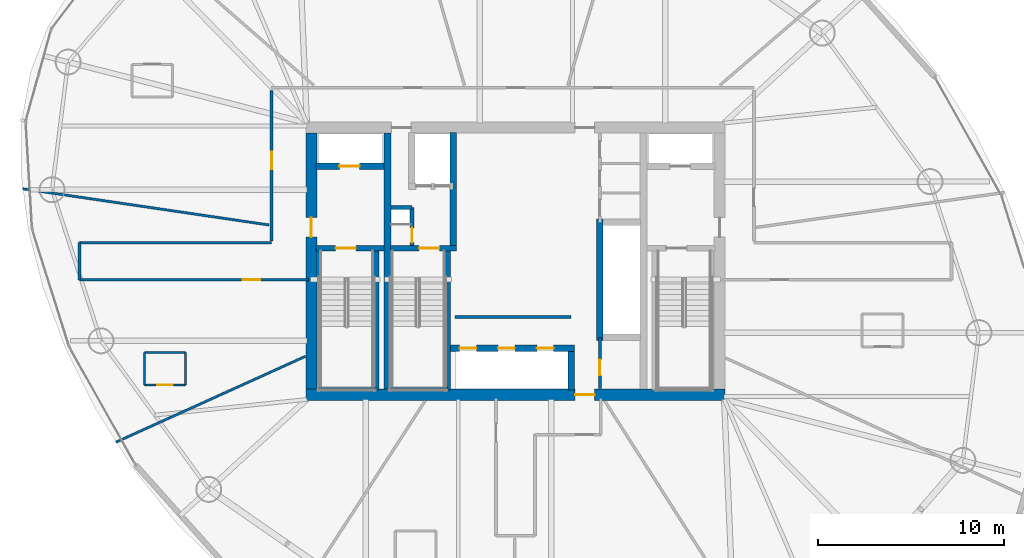
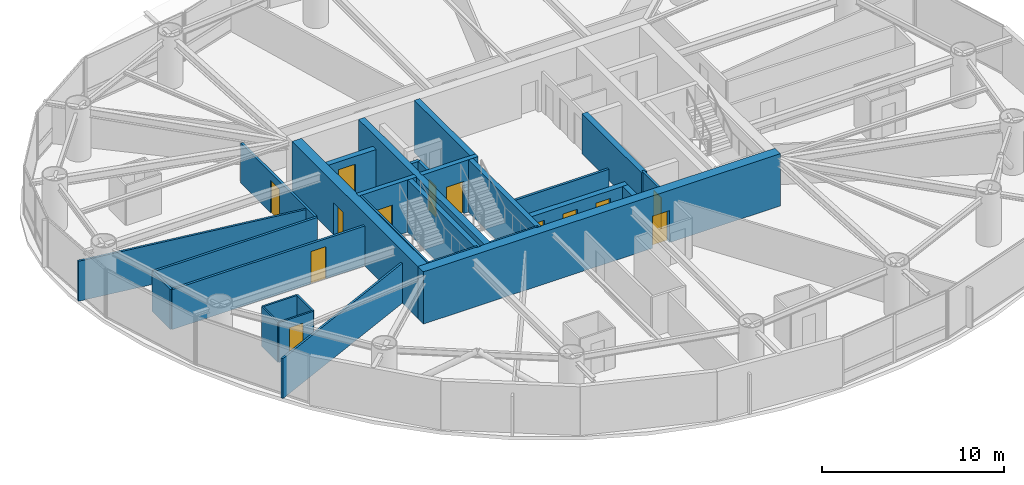
# One storey, part 17 of 22: 29 walls, 13 doors, 13 openings.
"""IFC4 building model written with IfcOpenShell, lengths in metres."""

from ifc_helpers import new_model, si_unit, direction, frame, frame_2d, origin, place, context, subcontext, project, spatial, rectangle, extrude, material, layer, layer_set, type_object, element, fill, save


model = new_model("IFC4")

# Units and contexts
model_context = context("Model", 3, precision=1e-05, world=origin(), true_north=direction((0.0, 1.0)))
body_context = subcontext(model_context, "Body", "Model", "MODEL_VIEW")
ifc_project = project(units=[si_unit("LENGTHUNIT", "METRE"), si_unit("AREAUNIT", "SQUARE_METRE"), si_unit("VOLUMEUNIT", "CUBIC_METRE"), si_unit("PLANEANGLEUNIT", "RADIAN"), si_unit("MASSUNIT", "GRAM", prefix="KILO")], contexts=[model_context])

# Site, building, storey
site_placement = place(None, origin())
site = spatial("IfcSite", under=ifc_project, at=site_placement, CompositionType="ELEMENT")
building_placement = place(site_placement, origin())
building = spatial("IfcBuilding", under=site, at=building_placement, Name="Bramvorn Convention Spire", CompositionType="ELEMENT")
storey_placement = place(building_placement, frame((0.0, 0.0, 137.800048828125)))
storey = spatial("IfcBuildingStorey", under=building, at=storey_placement, Name="L34", CompositionType="ELEMENT", Elevation=137.800048828125)

# Wall, opening, door
ifc_material_1 = material(Name="Concrete C60/70", Category="concrete")
ifc_layer_1 = layer(ifc_material_1, 0.60009765625)
ifc_layer_set_1 = layer_set([ifc_layer_1], Name="Concrete C60/70 - WL-CORE-600")
wall_type_1 = type_object("IfcWallType", Name="WL-CORE-600", PredefinedType="SHEAR", material=ifc_layer_set_1)
wall_1_placement = place(storey_placement, frame((26.699951171875, 18.800048828125, 0.0), z_axis=(0.0, 0.0, 1.0), x_axis=(1.0, 0.0, 0.0)))
wall_1 = element("IfcWall", 1, at=wall_1_placement, inside=storey, type_object=wall_type_1, Name="L34 South RC core shear wall", PredefinedType="SHEAR", context=body_context, shape_type="SweptSolid", body=[
    extrude(rectangle(XDim=22.60009765625, YDim=0.60009765625, at=frame_2d((11.300048828125, 0.0))), origin(), (0.0, 0.0, 1.0), 3.5),
])
opening_1_placement = place(wall_1_placement, frame((14.52001953125, 0.0, 0.0)))
opening_1 = element("IfcOpeningElement", 2, at=opening_1_placement, cuts=wall_1, Name="Opening DL-105", PredefinedType="OPENING", context=body_context, shape_type="SweptSolid", body=[
    extrude(rectangle(XDim=1.050048828125, YDim=2.14990234375, at=frame_2d((0.52490234375, 1.074951171875))), frame((0.0, 0.31005859375, 0.0), z_axis=(0.0, -1.0, 0.0), x_axis=(1.0, 0.0, 0.0)), (0.0, 0.0, 1.0), 0.6201171875),
])
ifc_material_2 = material(Name="Smoke-Sealed Fire Lobby Timber-Core Door", Category="wood")
door_type_1 = type_object("IfcDoorType", Name="DR-LOBBY-1050", OperationType="NOTDEFINED", PredefinedType="DOOR", material=ifc_material_2)
door_1_placement = place(opening_1_placement, origin())
door_1 = element("IfcDoor", 3, at=door_1_placement, inside=storey, type_object=door_type_1, Name="L34 South Lift Lobby fire door", OperationType="SINGLE_SWING_RIGHT", OverallHeight=2.14990234375, OverallWidth=1.050048828125, PredefinedType="DOOR", context=body_context, shape_type="SweptSolid", body=[
    extrude(rectangle(XDim=1.050048828125, YDim=2.14990234375, at=frame_2d((0.52490234375, 1.074951171875))), frame((0.0, 0.02490234375, 0.0), z_axis=(0.0, -1.0, 0.0), x_axis=(1.0, 0.0, 0.0)), (0.0, 0.0, 1.0), 0.050048828125),
])
fill(opening_1, door_1)

wall_2_placement = place(storey_placement, frame((27.0, 19.10009765625, 0.0), z_axis=(0.0, 0.0, 1.0), x_axis=(0.0, 1.0, 0.0)))
wall_2 = element("IfcWall", 4, at=wall_2_placement, inside=storey, type_object=wall_type_1, Name="L34 West RC core shear wall", PredefinedType="SHEAR", context=body_context, shape_type="SweptSolid", body=[
    extrude(rectangle(XDim=13.7998046875, YDim=0.60009765625, at=frame_2d((6.89990234375, 0.0))), origin(), (0.0, 0.0, 1.0), 3.5),
])
opening_2_placement = place(wall_2_placement, frame((8.199951171875, 0.0, 0.0)))
opening_2 = element("IfcOpeningElement", 5, at=opening_2_placement, cuts=wall_2, Name="Opening DL-105", PredefinedType="OPENING", context=body_context, shape_type="SweptSolid", body=[
    extrude(rectangle(XDim=1.050048828125, YDim=2.14990234375, at=frame_2d((0.52490234375, 1.074951171875))), frame((0.0, 0.31005859375, 0.0), z_axis=(0.0, -1.0, 0.0), x_axis=(1.0, 0.0, 0.0)), (0.0, 0.0, 1.0), 0.6201171875),
])
door_2_placement = place(opening_2_placement, origin())
door_2 = element("IfcDoor", 6, at=door_2_placement, inside=storey, type_object=door_type_1, Name="L34 West Firefighting Lobby corridor door", OperationType="SINGLE_SWING_RIGHT", OverallHeight=2.14990234375, OverallWidth=1.050048828125, PredefinedType="DOOR", context=body_context, shape_type="SweptSolid", body=[
    extrude(rectangle(XDim=1.050048828125, YDim=2.14990234375, at=frame_2d((0.52490234375, 1.074951171875))), frame((0.0, 0.02490234375, 0.0), z_axis=(0.0, -1.0, 0.0), x_axis=(1.0, 0.0, 0.0)), (0.0, 0.0, 1.0), 0.050048828125),
])
fill(opening_2, door_2)

ifc_material_3 = material(Name="Concrete C50/60", Category="concrete")
ifc_layer_2 = layer(ifc_material_3, 0.35009765625)
ifc_layer_set_2 = layer_set([ifc_layer_2], Name="Concrete C50/60 - WL-CORE-INT-350")
wall_type_2 = type_object("IfcWallType", Name="WL-CORE-INT-350", PredefinedType="SHEAR", material=ifc_layer_set_2)
wall_3_placement = place(storey_placement, frame((27.25, 31.1201171875, 0.0), z_axis=(0.0, 0.0, 1.0), x_axis=(1.0, 0.0, 0.0)))
wall_3 = element("IfcWall", 7, at=wall_3_placement, inside=storey, type_object=wall_type_2, Name="L34 FE1 shaft front wall", PredefinedType="SHEAR", context=body_context, shape_type="SweptSolid", body=[
    extrude(rectangle(XDim=3.669921875, YDim=0.35009765625, at=frame_2d((1.8349609375, 0.0))), origin(), (0.0, 0.0, 1.0), 2.675048828125),
])
opening_3_placement = place(wall_3_placement, frame((1.25, 0.0, 0.0)))
opening_3 = element("IfcOpeningElement", 8, at=opening_3_placement, cuts=wall_3, Name="Opening LD-110", PredefinedType="OPENING", context=body_context, shape_type="SweptSolid", body=[
    extrude(rectangle(XDim=1.10009765625, YDim=2.14990234375, at=frame_2d((0.550048828125, 1.074951171875))), frame((0.0, 0.18505859375, 0.0), z_axis=(0.0, -1.0, 0.0), x_axis=(1.0, 0.0, 0.0)), (0.0, 0.0, 1.0), 0.3701171875),
])
ifc_material_4 = material(Name="Firefighting & Service Lift Sliding Landing Door", Category="steel")
door_type_2 = type_object("IfcDoorType", Name="DR-LIFT-LD-1100", OperationType="NOTDEFINED", PredefinedType="DOOR", material=ifc_material_4)
door_3_placement = place(opening_3_placement, origin())
door_3 = element("IfcDoor", 9, at=door_3_placement, inside=storey, type_object=door_type_2, Name="L34 Lift FE1 Sliding Landing Door", OperationType="SLIDING_TO_LEFT", OverallHeight=2.14990234375, OverallWidth=1.10009765625, PredefinedType="DOOR", context=body_context, shape_type="SweptSolid", body=[
    extrude(rectangle(XDim=1.10009765625, YDim=2.14990234375, at=frame_2d((0.550048828125, 1.074951171875))), frame((0.0, 0.02490234375, 0.0), z_axis=(0.0, -1.0, 0.0), x_axis=(1.0, 0.0, 0.0)), (0.0, 0.0, 1.0), 0.050048828125),
])
fill(opening_3, door_3)

# Walls
wall_4_placement = place(storey_placement, frame((34.639892578125, 26.68994140625, 0.0), z_axis=(0.0, 0.0, 1.0), x_axis=(0.0, 1.0, 0.0)))
element("IfcWall", 10, at=wall_4_placement, inside=storey, type_object=wall_type_2, Name="L34 SV east core shaft wall", PredefinedType="SHEAR", context=body_context, shape_type="SweptSolid", body=[
    extrude(rectangle(XDim=6.260009765625, YDim=0.35009765625, at=frame_2d((3.1298828125, 0.0))), origin(), (0.0, 0.0, 1.0), 3.5),
])
wall_5_placement = place(storey_placement, frame((42.550048828125, 21.72998046875, 0.0), z_axis=(0.0, 0.0, 1.0), x_axis=(0.0, 1.0, 0.0)))
element("IfcWall", 11, at=wall_5_placement, inside=storey, type_object=wall_type_2, Name="L34 High-rise lift bank west wall", PredefinedType="SHEAR", context=body_context, shape_type="SweptSolid", body=[
    extrude(rectangle(XDim=6.5400390625, YDim=0.35009765625, at=frame_2d((3.27001953125, 0.0))), origin(), (0.0, 0.0, 1.0), 2.675048828125),
])

# Wall, openings, doors
wall_6_placement = place(storey_placement, frame((34.489990234375, 21.300048828125, 0.0), z_axis=(0.0, 0.0, 1.0), x_axis=(1.0, 0.0, 0.0)))
wall_6 = element("IfcWall", 12, at=wall_6_placement, inside=storey, type_object=wall_type_2, Name="L34 Mid-rise bank north landing wall", PredefinedType="SHEAR", context=body_context, shape_type="SweptSolid", body=[
    extrude(rectangle(XDim=6.679931640625, YDim=0.35009765625, at=frame_2d((3.33984375, 0.0))), origin(), (0.0, 0.0, 1.0), 2.675048828125),
])
opening_4_placement = place(wall_6_placement, frame((0.5, 0.0, 0.0)))
opening_4 = element("IfcOpeningElement", 13, at=opening_4_placement, cuts=wall_6, Name="Opening LD-090", PredefinedType="OPENING", context=body_context, shape_type="SweptSolid", body=[
    extrude(rectangle(XDim=0.89990234375, YDim=2.14990234375, at=frame_2d((0.449951171875, 1.074951171875))), frame((0.0, 0.18505859375, 0.0), z_axis=(0.0, -1.0, 0.0), x_axis=(1.0, 0.0, 0.0)), (0.0, 0.0, 1.0), 0.3701171875),
])
opening_5_placement = place(wall_6_placement, frame((2.580078125, 0.0, 0.0)))
opening_5 = element("IfcOpeningElement", 14, at=opening_5_placement, cuts=wall_6, Name="Opening LD-090", PredefinedType="OPENING", context=body_context, shape_type="SweptSolid", body=[
    extrude(rectangle(XDim=0.89990234375, YDim=2.14990234375, at=frame_2d((0.449951171875, 1.074951171875))), frame((0.0, 0.18505859375, 0.0), z_axis=(0.0, -1.0, 0.0), x_axis=(1.0, 0.0, 0.0)), (0.0, 0.0, 1.0), 0.3701171875),
])
opening_6_placement = place(wall_6_placement, frame((4.659912109375, 0.0, 0.0)))
opening_6 = element("IfcOpeningElement", 15, at=opening_6_placement, cuts=wall_6, Name="Opening LD-090", PredefinedType="OPENING", context=body_context, shape_type="SweptSolid", body=[
    extrude(rectangle(XDim=0.89990234375, YDim=2.14990234375, at=frame_2d((0.449951171875, 1.074951171875))), frame((0.0, 0.18505859375, 0.0), z_axis=(0.0, -1.0, 0.0), x_axis=(1.0, 0.0, 0.0)), (0.0, 0.0, 1.0), 0.3701171875),
])
ifc_material_5 = material(Name="Bi-Parting Fire-Rated Lift Landing Door", Category="steel")
door_type_3 = type_object("IfcDoorType", Name="DR-LIFT-LD-900", OperationType="NOTDEFINED", PredefinedType="DOOR", material=ifc_material_5)
door_4_placement = place(opening_4_placement, origin())
door_4 = element("IfcDoor", 16, at=door_4_placement, inside=storey, type_object=door_type_3, Name="L34 Lift PM1 Sliding Landing Door", OperationType="SLIDING_TO_LEFT", OverallHeight=2.14990234375, OverallWidth=0.89990234375, PredefinedType="DOOR", context=body_context, shape_type="SweptSolid", body=[
    extrude(rectangle(XDim=0.89990234375, YDim=2.14990234375, at=frame_2d((0.449951171875, 1.074951171875))), frame((0.0, 0.02490234375, 0.0), z_axis=(0.0, -1.0, 0.0), x_axis=(1.0, 0.0, 0.0)), (0.0, 0.0, 1.0), 0.050048828125),
])
fill(opening_4, door_4)
door_5_placement = place(opening_5_placement, origin())
door_5 = element("IfcDoor", 17, at=door_5_placement, inside=storey, type_object=door_type_3, Name="L34 Lift PM2 Sliding Landing Door", OperationType="SLIDING_TO_LEFT", OverallHeight=2.14990234375, OverallWidth=0.89990234375, PredefinedType="DOOR", context=body_context, shape_type="SweptSolid", body=[
    extrude(rectangle(XDim=0.89990234375, YDim=2.14990234375, at=frame_2d((0.449951171875, 1.074951171875))), frame((0.0, 0.02490234375, 0.0), z_axis=(0.0, -1.0, 0.0), x_axis=(1.0, 0.0, 0.0)), (0.0, 0.0, 1.0), 0.050048828125),
])
fill(opening_5, door_5)
door_6_placement = place(opening_6_placement, origin())
door_6 = element("IfcDoor", 18, at=door_6_placement, inside=storey, type_object=door_type_3, Name="L34 Lift PM3 Sliding Landing Door", OperationType="SLIDING_TO_LEFT", OverallHeight=2.14990234375, OverallWidth=0.89990234375, PredefinedType="DOOR", context=body_context, shape_type="SweptSolid", body=[
    extrude(rectangle(XDim=0.89990234375, YDim=2.14990234375, at=frame_2d((0.449951171875, 1.074951171875))), frame((0.0, 0.02490234375, 0.0), z_axis=(0.0, -1.0, 0.0), x_axis=(1.0, 0.0, 0.0)), (0.0, 0.0, 1.0), 0.050048828125),
])
fill(opening_6, door_6)

# Walls
wall_7_placement = place(storey_placement, frame((41.0, 19.050048828125, 0.0), z_axis=(0.0, 0.0, 1.0), x_axis=(0.0, 1.0, 0.0)))
element("IfcWall", 19, at=wall_7_placement, inside=storey, type_object=wall_type_2, Name="L34 Mid-rise bank east cheek wall", PredefinedType="SHEAR", context=body_context, shape_type="SweptSolid", body=[
    extrude(rectangle(XDim=2.079833984375, YDim=0.35009765625, at=frame_2d((1.0400390625, 0.0))), origin(), (0.0, 0.0, 1.0), 2.675048828125),
])
ifc_layer_3 = layer(ifc_material_1, 0.39990234375)
ifc_layer_set_3 = layer_set([ifc_layer_3], Name="Concrete C60/70 - WL-CORE-INT-400")
wall_type_3 = type_object("IfcWallType", Name="WL-CORE-INT-400", PredefinedType="SHEAR", material=ifc_layer_set_3)
wall_8_placement = place(storey_placement, frame((31.10009765625, 19.10009765625, 0.0), z_axis=(0.0, 0.0, 1.0), x_axis=(0.0, 1.0, 0.0)))
element("IfcWall", 20, at=wall_8_placement, inside=storey, type_object=wall_type_3, Name="L34 West internal core shear web", PredefinedType="SHEAR", context=body_context, shape_type="SweptSolid", body=[
    extrude(rectangle(XDim=13.7998046875, YDim=0.39990234375, at=frame_2d((6.89990234375, 0.0))), origin(), (0.0, 0.0, 1.0), 3.5),
])

# Wall, opening, door
ifc_material_6 = material(Name="Lightweight En-Suite & Wet-Wall Partition", Category="gypsum")
ifc_layer_4 = layer(ifc_material_6, 0.110107421875)
ifc_layer_set_4 = layer_set([ifc_layer_4], Name="Lightweight En-Suite & Wet-Wall Partition - WL-PART-110")
wall_type_4 = type_object("IfcWallType", Name="WL-PART-110", PredefinedType="PARTITIONING", material=ifc_layer_set_4)
wall_9_placement = place(storey_placement, frame((18.006591796875, 19.328369140625, 0.0), z_axis=(0.0, 0.0, 1.0), x_axis=(1.0, 0.0, 0.0)))
wall_9 = element("IfcWall", 21, at=wall_9_placement, inside=storey, type_object=wall_type_4, Name="Hotel Suite 3406 en-suite south wall", PredefinedType="PARTITIONING", context=body_context, shape_type="SweptSolid", body=[
    extrude(rectangle(XDim=2.199951171875, YDim=0.110107421875, at=frame_2d((1.10009765625, 0.0))), origin(), (0.0, 0.0, 1.0), 2.675048828125),
])
opening_7_placement = place(wall_9_placement, frame((0.679931640625, 0.0, 0.0)))
opening_7 = element("IfcOpeningElement", 22, at=opening_7_placement, cuts=wall_9, Name="Opening DI-085", PredefinedType="OPENING", context=body_context, shape_type="SweptSolid", body=[
    extrude(rectangle(XDim=0.85009765625, YDim=2.10009765625, at=frame_2d((0.425048828125, 1.050048828125))), frame((0.0, 0.06494140625, 0.0), z_axis=(0.0, -1.0, 0.0), x_axis=(1.0, 0.0, 0.0)), (0.0, 0.0, 1.0), 0.130126953125),
])
ifc_material_7 = material(Name="En-Suite & Restroom Privacy Door", Category="wood")
door_type_4 = type_object("IfcDoorType", Name="DR-INT-850", OperationType="NOTDEFINED", PredefinedType="DOOR", material=ifc_material_7)
door_7_placement = place(opening_7_placement, origin())
door_7 = element("IfcDoor", 23, at=door_7_placement, inside=storey, type_object=door_type_4, Name="Hotel Suite 3406 En-Suite Bathroom door", OperationType="SINGLE_SWING_LEFT", OverallHeight=2.10009765625, OverallWidth=0.85009765625, PredefinedType="DOOR", context=body_context, shape_type="SweptSolid", body=[
    extrude(rectangle(XDim=0.85009765625, YDim=2.10009765625, at=frame_2d((0.425048828125, 1.050048828125))), frame((0.0, 0.02490234375, 0.0), z_axis=(0.0, -1.0, 0.0), x_axis=(1.0, 0.0, 0.0)), (0.0, 0.0, 1.0), 0.050048828125),
])
fill(opening_7, door_7)

# Walls
wall_10_placement = place(storey_placement, frame((18.006591796875, 21.08837890625, 0.0), z_axis=(0.0, 0.0, 1.0), x_axis=(1.0, 0.0, 0.0)))
element("IfcWall", 24, at=wall_10_placement, inside=storey, type_object=wall_type_4, Name="Hotel Suite 3406 en-suite north wall", PredefinedType="PARTITIONING", context=body_context, shape_type="SweptSolid", body=[
    extrude(rectangle(XDim=2.199951171875, YDim=0.110107421875, at=frame_2d((1.10009765625, 0.0))), origin(), (0.0, 0.0, 1.0), 2.675048828125),
])
for number, where, z_axis, x_axis, name in (
    (25, (18.006591796875, 19.328369140625, 0.0), (0.0, 0.0, 1.0), (0.0, 1.0, 0.0), "Hotel Suite 3406 en-suite west wall"),
    (26, (20.20654296875, 19.328369140625, 0.0), (0.0, 0.0, 1.0), (0.0, 1.0, 0.0), "Hotel Suite 3406 en-suite east wall"),
):
    element("IfcWall", number, at=place(storey_placement, frame(where, z_axis=z_axis, x_axis=x_axis)), inside=storey, type_object=wall_type_4, Name=name, PredefinedType="PARTITIONING", context=body_context, shape_type="SweptSolid", body=[
        extrude(rectangle(XDim=1.760009765625, YDim=0.110107421875, at=frame_2d((0.8798828125, 0.0))), origin(), (0.0, 0.0, 1.0), 2.675048828125),
    ])
ifc_material_8 = material(Name="Metal-Stud Demountable Office Partition", Category="gypsum")
ifc_layer_5 = layer(ifc_material_8, 0.1298828125)
ifc_layer_set_5 = layer_set([ifc_layer_5], Name="Metal-Stud Demountable Office Partition - WL-PART-130")
wall_type_5 = type_object("IfcWallType", Name="WL-PART-130", PredefinedType="PARTITIONING", material=ifc_layer_set_5)
wall_11_placement = place(storey_placement, frame((24.7099609375, 27.953857421875, 0.0), z_axis=(0.0, 0.0, 1.0), x_axis=(-0.989364367295, 0.145458408926, 0.0)))
element("IfcWall", 27, at=wall_11_placement, inside=storey, type_object=wall_type_5, Name="L34 Guestroom demising wall 6", PredefinedType="PARTITIONING", context=body_context, shape_type="SweptSolid", body=[
    extrude(rectangle(XDim=13.432373046875, YDim=0.1298828125, at=frame_2d((6.71630859375, 0.0))), origin(), (0.0, 0.0, 1.0), 2.675048828125),
])
wall_12_placement = place(storey_placement, frame((26.679931640625, 20.873779296875, 0.0), z_axis=(0.0, 0.0, 1.0), x_axis=(-0.910944929942, -0.4125279804, 0.0)))
element("IfcWall", 28, at=wall_12_placement, inside=storey, type_object=wall_type_5, Name="L34 Guestroom demising wall 7", PredefinedType="PARTITIONING", context=body_context, shape_type="SweptSolid", body=[
    extrude(rectangle(XDim=11.22802734375, YDim=0.1298828125, at=frame_2d((5.614013671875, 0.0))), origin(), (0.0, 0.0, 1.0), 2.675048828125),
])
ifc_material_9 = material(Name="Acoustic Metal-Stud Tenant/Corridor Partition", Category="gypsum")
ifc_layer_6 = layer(ifc_material_9, 0.14990234375)
ifc_layer_set_6 = layer_set([ifc_layer_6], Name="Acoustic Metal-Stud Tenant/Corridor Partition - WL-PART-150")
wall_type_6 = type_object("IfcWallType", Name="WL-PART-150", PredefinedType="PARTITIONING", material=ifc_layer_set_6)
wall_13_placement = place(storey_placement, frame((34.75, 23.0, 0.0), z_axis=(0.0, 0.0, 1.0), x_axis=(1.0, 0.0, 0.0)))
element("IfcWall", 29, at=wall_13_placement, inside=storey, type_object=wall_type_6, Name="L34 Mid-rise lift vestibule north wall", PredefinedType="PARTITIONING", context=body_context, shape_type="SweptSolid", body=[
    extrude(rectangle(XDim=6.25, YDim=0.14990234375, at=frame_2d((3.125, 0.0))), origin(), (0.0, 0.0, 1.0), 2.675048828125),
])

# Wall, opening, door
wall_14_placement = place(storey_placement, frame((42.550048828125, 19.14990234375, 0.0), z_axis=(0.0, 0.0, 1.0), x_axis=(0.0, 1.0, 0.0)))
wall_14 = element("IfcWall", 30, at=wall_14_placement, inside=storey, type_object=wall_type_6, Name="L34 KC SE wall", PredefinedType="PARTITIONING", context=body_context, shape_type="SweptSolid", body=[
    extrude(rectangle(XDim=2.75, YDim=0.14990234375, at=frame_2d((1.375, 0.0))), origin(), (0.0, 0.0, 1.0), 2.675048828125),
])
opening_8_placement = place(wall_14_placement, frame((0.699951171875, 0.0, 0.0)))
opening_8 = element("IfcOpeningElement", 31, at=opening_8_placement, cuts=wall_14, Name="Opening DC-085", PredefinedType="OPENING", context=body_context, shape_type="SweptSolid", body=[
    extrude(rectangle(XDim=0.85009765625, YDim=2.10009765625, at=frame_2d((0.425048828125, 1.050048828125))), frame((0.0, 0.0849609375, 0.0), z_axis=(0.0, -1.0, 0.0), x_axis=(1.0, 0.0, 0.0)), (0.0, 0.0, 1.0), 0.169921875),
])
ifc_material_10 = material(Name="Fire-Rated Core Washroom & IDF Door", Category="wood")
door_type_5 = type_object("IfcDoorType", Name="DR-CORE-850", OperationType="NOTDEFINED", PredefinedType="DOOR", material=ifc_material_10)
door_8_placement = place(opening_8_placement, origin())
door_8 = element("IfcDoor", 32, at=door_8_placement, inside=storey, type_object=door_type_5, Name="L34 Core Valve & Riser Room door", OperationType="SINGLE_SWING_LEFT", OverallHeight=2.10009765625, OverallWidth=0.85009765625, PredefinedType="DOOR", context=body_context, shape_type="SweptSolid", body=[
    extrude(rectangle(XDim=0.85009765625, YDim=2.10009765625, at=frame_2d((0.425048828125, 1.050048828125))), frame((0.0, 0.02490234375, 0.0), z_axis=(0.0, -1.0, 0.0), x_axis=(1.0, 0.0, 0.0)), (0.0, 0.0, 1.0), 0.050048828125),
])
fill(opening_8, door_8)

wall_15_placement = place(storey_placement, frame((24.85009765625, 27.080078125, 0.0), z_axis=(0.0, 0.0, 1.0), x_axis=(0.0, 1.0, 0.0)))
wall_15 = element("IfcWall", 33, at=wall_15_placement, inside=storey, type_object=wall_type_6, Name="L34 NW gallery cheek", PredefinedType="PARTITIONING", context=body_context, shape_type="SweptSolid", body=[
    extrude(rectangle(XDim=8.119873046875, YDim=0.14990234375, at=frame_2d((4.06005859375, 0.0))), origin(), (0.0, 0.0, 1.0), 2.675048828125),
])
opening_9_placement = place(wall_15_placement, frame((3.872314453125, 0.0, 0.0)))
opening_9 = element("IfcOpeningElement", 34, at=opening_9_placement, cuts=wall_15, Name="Opening DH-095", PredefinedType="OPENING", context=body_context, shape_type="SweptSolid", body=[
    extrude(rectangle(XDim=0.949951171875, YDim=2.14990234375, at=frame_2d((0.47509765625, 1.074951171875))), frame((0.0, 0.0849609375, 0.0), z_axis=(0.0, -1.0, 0.0), x_axis=(1.0, 0.0, 0.0)), (0.0, 0.0, 1.0), 0.169921875),
])
ifc_material_11 = material(Name="Solid-Core Acoustic Guestroom Entry Door", Category="wood")
door_type_6 = type_object("IfcDoorType", Name="DR-HOTEL-950", OperationType="NOTDEFINED", PredefinedType="DOOR", material=ifc_material_11)
door_9_placement = place(opening_9_placement, origin())
door_9 = element("IfcDoor", 35, at=door_9_placement, inside=storey, type_object=door_type_6, Name="Hotel Suite 3405 entry door", OperationType="SINGLE_SWING_LEFT", OverallHeight=2.14990234375, OverallWidth=0.949951171875, PredefinedType="DOOR", context=body_context, shape_type="SweptSolid", body=[
    extrude(rectangle(XDim=0.949951171875, YDim=2.14990234375, at=frame_2d((0.47509765625, 1.074951171875))), frame((0.0, 0.02490234375, 0.0), z_axis=(0.0, -1.0, 0.0), x_axis=(1.0, 0.0, 0.0)), (0.0, 0.0, 1.0), 0.050048828125),
])
fill(opening_9, door_9)

# Wall
wall_16_placement = place(storey_placement, frame((14.5, 27.0, 0.0), z_axis=(0.0, 0.0, 1.0), x_axis=(1.0, 0.0, 0.0)))
element("IfcWall", 36, at=wall_16_placement, inside=storey, type_object=wall_type_6, Name="L34 West wing spine north wall", PredefinedType="PARTITIONING", context=body_context, shape_type="SweptSolid", body=[
    extrude(rectangle(XDim=10.35009765625, YDim=0.14990234375, at=frame_2d((5.175048828125, 0.0))), origin(), (0.0, 0.0, 1.0), 2.675048828125),
])

# Wall, opening, door
wall_17_placement = place(storey_placement, frame((14.5, 25.0, 0.0), z_axis=(0.0, 0.0, 1.0), x_axis=(1.0, 0.0, 0.0)))
wall_17 = element("IfcWall", 37, at=wall_17_placement, inside=storey, type_object=wall_type_6, Name="L34 West wing spine south wall", PredefinedType="PARTITIONING", context=body_context, shape_type="SweptSolid", body=[
    extrude(rectangle(XDim=12.35009765625, YDim=0.14990234375, at=frame_2d((6.175048828125, 0.0))), origin(), (0.0, 0.0, 1.0), 2.675048828125),
])
opening_10_placement = place(wall_17_placement, frame((8.78759765625, 0.0, 0.0)))
opening_10 = element("IfcOpeningElement", 38, at=opening_10_placement, cuts=wall_17, Name="Opening DH-095", PredefinedType="OPENING", context=body_context, shape_type="SweptSolid", body=[
    extrude(rectangle(XDim=0.949951171875, YDim=2.14990234375, at=frame_2d((0.47509765625, 1.074951171875))), frame((0.0, 0.0849609375, 0.0), z_axis=(0.0, -1.0, 0.0), x_axis=(1.0, 0.0, 0.0)), (0.0, 0.0, 1.0), 0.169921875),
])
door_10_placement = place(opening_10_placement, origin())
door_10 = element("IfcDoor", 39, at=door_10_placement, inside=storey, type_object=door_type_6, Name="Hotel Suite 3406 entry door", OperationType="SINGLE_SWING_RIGHT", OverallHeight=2.14990234375, OverallWidth=0.949951171875, PredefinedType="DOOR", context=body_context, shape_type="SweptSolid", body=[
    extrude(rectangle(XDim=0.949951171875, YDim=2.14990234375, at=frame_2d((0.47509765625, 1.074951171875))), frame((0.0, 0.02490234375, 0.0), z_axis=(0.0, -1.0, 0.0), x_axis=(1.0, 0.0, 0.0)), (0.0, 0.0, 1.0), 0.050048828125),
])
fill(opening_10, door_10)

# Wall
wall_18_placement = place(storey_placement, frame((14.5, 25.0, 0.0), z_axis=(0.0, 0.0, 1.0), x_axis=(0.0, 1.0, 0.0)))
element("IfcWall", 40, at=wall_18_placement, inside=storey, type_object=wall_type_6, Name="L34 West wing spine end wall", PredefinedType="PARTITIONING", context=body_context, shape_type="SweptSolid", body=[
    extrude(rectangle(XDim=2.0, YDim=0.14990234375, at=frame_2d((1.0, 0.0))), origin(), (0.0, 0.0, 1.0), 2.675048828125),
])

# Wall, opening, door
ifc_material_12 = material(Name="Gypsum Shaftwall & Rockwool Core Partition", Category="gypsum")
ifc_layer_7 = layer(ifc_material_12, 0.199951171875)
ifc_layer_set_7 = layer_set([ifc_layer_7], Name="Gypsum Shaftwall & Rockwool Core Partition - WL-PART-200-FR")
wall_type_7 = type_object("IfcWallType", Name="WL-PART-200-FR", PredefinedType="PARTITIONING", material=ifc_layer_set_7)
wall_19_placement = place(storey_placement, frame((32.419921875, 26.860107421875, 0.0), z_axis=(0.0, 0.0, 1.0), x_axis=(0.0, 1.0, 0.0)))
wall_19 = element("IfcWall", 41, at=wall_19_placement, inside=storey, type_object=wall_type_7, Name="L34 Telecom riser east wall", PredefinedType="PARTITIONING", context=body_context, shape_type="SweptSolid", body=[
    extrude(rectangle(XDim=2.039794921875, YDim=0.199951171875, at=frame_2d((1.02001953125, 0.0))), origin(), (0.0, 0.0, 1.0), 2.675048828125),
])
opening_11_placement = place(wall_19_placement, frame((0.139892578125, 0.0, 0.0)))
opening_11 = element("IfcOpeningElement", 42, at=opening_11_placement, cuts=wall_19, Name="Opening DR-080", PredefinedType="OPENING", context=body_context, shape_type="SweptSolid", body=[
    extrude(rectangle(XDim=0.800048828125, YDim=2.050048828125, at=frame_2d((0.39990234375, 1.02490234375))), frame((0.0, 0.10986328125, 0.0), z_axis=(0.0, -1.0, 0.0), x_axis=(1.0, 0.0, 0.0)), (0.0, 0.0, 1.0), 0.219970703125),
])
ifc_material_13 = material(Name="Flush Steel Riser Access Door", Category="steel")
door_type_7 = type_object("IfcDoorType", Name="DR-RISER-800", OperationType="NOTDEFINED", PredefinedType="DOOR", material=ifc_material_13)
door_11_placement = place(opening_11_placement, origin())
door_11 = element("IfcDoor", 43, at=door_11_placement, inside=storey, type_object=door_type_7, Name="L34 Telecom riser access door", OperationType="SINGLE_SWING_RIGHT", OverallHeight=2.050048828125, OverallWidth=0.800048828125, PredefinedType="DOOR", context=body_context, shape_type="SweptSolid", body=[
    extrude(rectangle(XDim=0.800048828125, YDim=2.050048828125, at=frame_2d((0.39990234375, 1.02490234375))), frame((0.0, 0.02490234375, 0.0), z_axis=(0.0, -1.0, 0.0), x_axis=(1.0, 0.0, 0.0)), (0.0, 0.0, 1.0), 0.050048828125),
])
fill(opening_11, door_11)

# Wall
wall_20_placement = place(storey_placement, frame((31.300048828125, 28.89990234375, 0.0), z_axis=(0.0, 0.0, 1.0), x_axis=(1.0, 0.0, 0.0)))
element("IfcWall", 44, at=wall_20_placement, inside=storey, type_object=wall_type_7, Name="L34 Telecom riser north wall", PredefinedType="PARTITIONING", context=body_context, shape_type="SweptSolid", body=[
    extrude(rectangle(XDim=1.119873046875, YDim=0.199951171875, at=frame_2d((0.56005859375, 0.0))), origin(), (0.0, 0.0, 1.0), 2.675048828125),
])

# Wall, opening, door
ifc_layer_8 = layer(ifc_material_3, 0.300048828125)
ifc_layer_set_8 = layer_set([ifc_layer_8], Name="Concrete C50/60 - WL-POD-STAIR-300")
wall_type_8 = type_object("IfcWallType", Name="WL-POD-STAIR-300", PredefinedType="SHEAR", material=ifc_layer_set_8)
wall_21_placement = place(storey_placement, frame((27.25, 26.68994140625, 0.0), z_axis=(0.0, 0.0, 1.0), x_axis=(1.0, 0.0, 0.0)))
wall_21 = element("IfcWall", 45, at=wall_21_placement, inside=storey, type_object=wall_type_8, Name="L34 ST1 north fire wall", PredefinedType="SHEAR", context=body_context, shape_type="SweptSolid", body=[
    extrude(rectangle(XDim=3.669921875, YDim=0.300048828125, at=frame_2d((1.8349609375, 0.0))), origin(), (0.0, 0.0, 1.0), 3.5),
])
opening_12_placement = place(wall_21_placement, frame((1.050048828125, 0.0, 0.0)))
opening_12 = element("IfcOpeningElement", 46, at=opening_12_placement, cuts=wall_21, Name="Opening DS-110", PredefinedType="OPENING", context=body_context, shape_type="SweptSolid", body=[
    extrude(rectangle(XDim=1.10009765625, YDim=2.14990234375, at=frame_2d((0.550048828125, 1.074951171875))), frame((0.0, 0.159912109375, 0.0), z_axis=(0.0, -1.0, 0.0), x_axis=(1.0, 0.0, 0.0)), (0.0, 0.0, 1.0), 0.320068359375),
])
ifc_material_14 = material(Name="Fire-Rated Hollow Steel Stairwell Door", Category="steel")
door_type_8 = type_object("IfcDoorType", Name="DR-STAIR-1100", OperationType="NOTDEFINED", PredefinedType="DOOR", material=ifc_material_14)
door_12_placement = place(opening_12_placement, origin())
door_12 = element("IfcDoor", 47, at=door_12_placement, inside=storey, type_object=door_type_8, Name="L34 Stair ST1 fire door", OperationType="SINGLE_SWING_LEFT", OverallHeight=2.14990234375, OverallWidth=1.10009765625, PredefinedType="DOOR", context=body_context, shape_type="SweptSolid", body=[
    extrude(rectangle(XDim=1.10009765625, YDim=2.14990234375, at=frame_2d((0.550048828125, 1.074951171875))), frame((0.0, 0.02490234375, 0.0), z_axis=(0.0, -1.0, 0.0), x_axis=(1.0, 0.0, 0.0)), (0.0, 0.0, 1.0), 0.050048828125),
])
fill(opening_12, door_12)

# Walls
for number, where, z_axis, x_axis, name in (
    (48, (30.489990234375, 19.050048828125, 0.0), (0.0, 0.0, 1.0), (0.0, 1.0, 0.0), "L34 ST1 east bearing wall"),
    (49, (34.340087890625, 19.050048828125, 0.0), (0.0, 0.0, 1.0), (0.0, 1.0, 0.0), "L34 ST3 east bearing wall"),
):
    element("IfcWall", number, at=place(storey_placement, frame(where, z_axis=z_axis, x_axis=x_axis)), inside=storey, type_object=wall_type_8, Name=name, PredefinedType="SHEAR", context=body_context, shape_type="SweptSolid", body=[
        extrude(rectangle(XDim=7.5, YDim=0.300048828125, at=frame_2d((3.75, 0.0))), origin(), (0.0, 0.0, 1.0), 3.5),
    ])

# Wall, opening, door
wall_22_placement = place(storey_placement, frame((31.25, 26.68994140625, 0.0), z_axis=(0.0, 0.0, 1.0), x_axis=(1.0, 0.0, 0.0)))
wall_22 = element("IfcWall", 50, at=wall_22_placement, inside=storey, type_object=wall_type_8, Name="L34 ST3 north lobby wall", PredefinedType="SHEAR", context=body_context, shape_type="SweptSolid", body=[
    extrude(rectangle(XDim=3.56005859375, YDim=0.300048828125, at=frame_2d((1.780029296875, 0.0))), origin(), (0.0, 0.0, 1.0), 3.5),
])
opening_13_placement = place(wall_22_placement, frame((1.550048828125, 0.0, 0.0)))
opening_13 = element("IfcOpeningElement", 51, at=opening_13_placement, cuts=wall_22, Name="Opening DS-110", PredefinedType="OPENING", context=body_context, shape_type="SweptSolid", body=[
    extrude(rectangle(XDim=1.10009765625, YDim=2.14990234375, at=frame_2d((0.550048828125, 1.074951171875))), frame((0.0, 0.159912109375, 0.0), z_axis=(0.0, -1.0, 0.0), x_axis=(1.0, 0.0, 0.0)), (0.0, 0.0, 1.0), 0.320068359375),
])
door_13_placement = place(opening_13_placement, origin())
door_13 = element("IfcDoor", 52, at=door_13_placement, inside=storey, type_object=door_type_8, Name="L34 Stair ST3 fire door", OperationType="SINGLE_SWING_LEFT", OverallHeight=2.14990234375, OverallWidth=1.10009765625, PredefinedType="DOOR", context=body_context, shape_type="SweptSolid", body=[
    extrude(rectangle(XDim=1.10009765625, YDim=2.14990234375, at=frame_2d((0.550048828125, 1.074951171875))), frame((0.0, 0.02490234375, 0.0), z_axis=(0.0, -1.0, 0.0), x_axis=(1.0, 0.0, 0.0)), (0.0, 0.0, 1.0), 0.050048828125),
])
fill(opening_13, door_13)

# Walls
ifc_layer_9 = layer(ifc_material_3, 0.1201171875)
ifc_layer_set_9 = layer_set([ifc_layer_9], Name="Concrete C50/60 - WL-STAIR-RC-120")
wall_type_9 = type_object("IfcWallType", Name="WL-STAIR-RC-120", PredefinedType="SHEAR", material=ifc_layer_set_9)
wall_23_placement = place(storey_placement, frame((27.39501953125, 19.10009765625, 0.0), z_axis=(0.0, 0.0, 1.0), x_axis=(0.0, 1.0, 0.0)))
element("IfcWall", 53, at=wall_23_placement, inside=storey, type_object=wall_type_9, Name="L34 ST1 west bearing shear wall", PredefinedType="SHEAR", context=body_context, shape_type="SweptSolid", body=[
    extrude(rectangle(XDim=7.449951171875, YDim=0.1201171875, at=frame_2d((3.72509765625, 0.0))), origin(), (0.0, 0.0, 1.0), 3.5),
])
wall_24_placement = place(storey_placement, frame((27.39501953125, 19.159912109375, 0.0), z_axis=(0.0, 0.0, 1.0), x_axis=(1.0, 0.0, 0.0)))
element("IfcWall", 54, at=wall_24_placement, inside=storey, type_object=wall_type_9, Name="L34 ST1 south bearing shear wall", PredefinedType="SHEAR", context=body_context, shape_type="SweptSolid", body=[
    extrude(rectangle(XDim=3.094970703125, YDim=0.1201171875, at=frame_2d((1.54736328125, 0.0))), origin(), (0.0, 0.0, 1.0), 3.5),
])
wall_25_placement = place(storey_placement, frame((31.300048828125, 19.159912109375, 0.0), z_axis=(0.0, 0.0, 1.0), x_axis=(1.0, 0.0, 0.0)))
element("IfcWall", 55, at=wall_25_placement, inside=storey, type_object=wall_type_9, Name="L34 ST3 south bearing shear wall", PredefinedType="SHEAR", context=body_context, shape_type="SweptSolid", body=[
    extrude(rectangle(XDim=3.0400390625, YDim=0.1201171875, at=frame_2d((1.52001953125, 0.0))), origin(), (0.0, 0.0, 1.0), 3.5),
])

save(model, "model.ifc")
